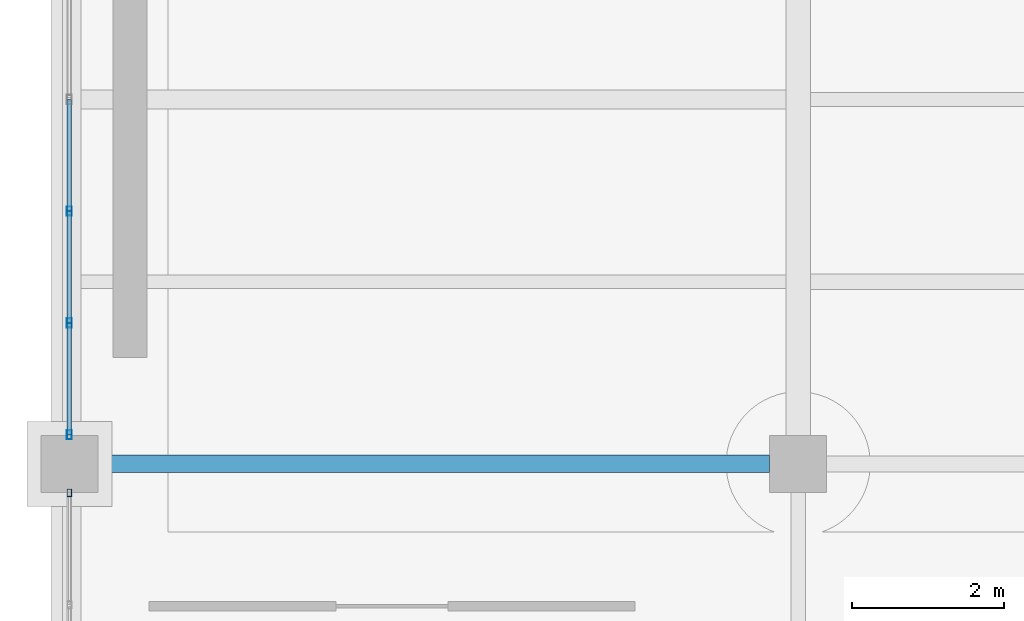
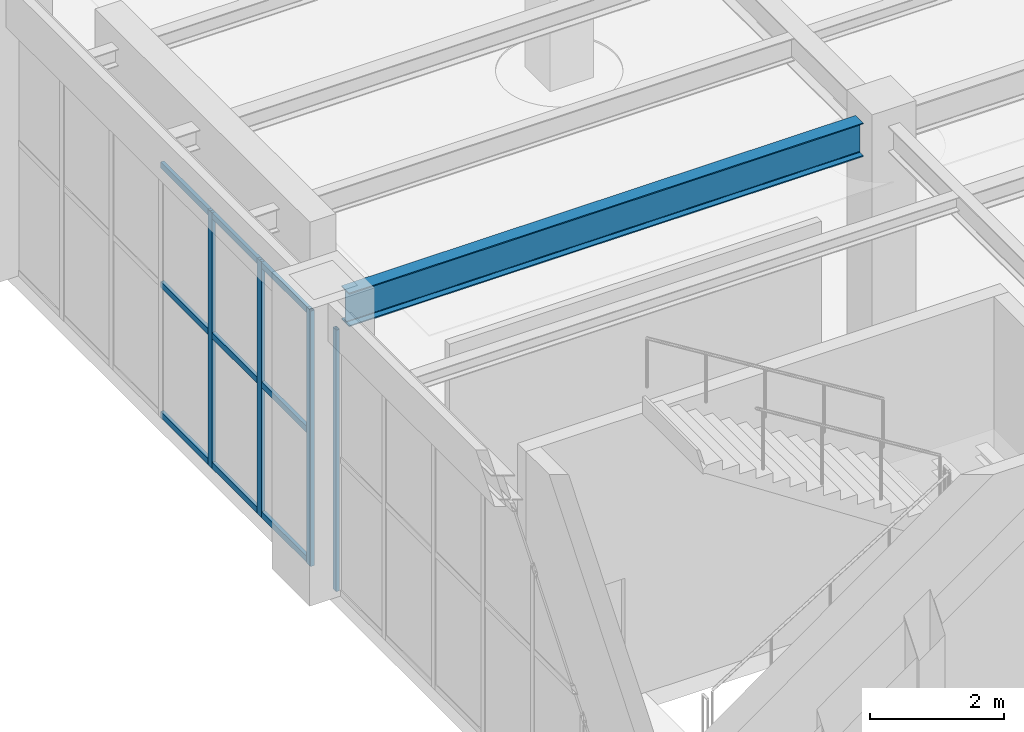
# One storey, part 26 of 164: 13 members, 1 beam, 2 elements without a shape of their own.
"""IFC4 building model written with IfcOpenShell, lengths in metres."""

from ifc_helpers import new_model, si_unit, direction, frame, origin, origin_2d, place, context, subcontext, project, spatial, hollow_rectangle, i_section, extrude, material, material_profile, profile_set, type_object, element, aggregate, save


model = new_model("IFC4")

# Units and contexts
model_context = context("Model", 3, precision=1e-05, world=origin(), true_north=direction((0.0, 1.0)))
body_context = subcontext(model_context, "Body", "Model", "MODEL_VIEW")
ifc_project = project(units=[si_unit("LENGTHUNIT", "METRE"), si_unit("AREAUNIT", "SQUARE_METRE"), si_unit("VOLUMEUNIT", "CUBIC_METRE"), si_unit("PLANEANGLEUNIT", "RADIAN"), si_unit("MASSUNIT", "GRAM", prefix="KILO")], contexts=[model_context])

# Site, building, storey
site_placement = place(None, origin())
site = spatial("IfcSite", under=ifc_project, at=site_placement, CompositionType="ELEMENT")
building_placement = place(site_placement, origin())
building = spatial("IfcBuilding", under=site, at=building_placement, Name="Mavantir Sound Aquarium", CompositionType="ELEMENT")
storey_placement = place(building_placement, origin())
storey = spatial("IfcBuildingStorey", under=building, at=storey_placement, Name="L00", CompositionType="ELEMENT", Elevation=0.0)

# Beam
ifc_material_1 = material(Name="Structural Steel ASTM A992 Gr50", Category="steel")
ifc_material_profile_1 = material_profile(ifc_material_1, i_section(OverallWidth=0.22900390625, OverallDepth=0.612060546875, WebThickness=0.011962890625, FlangeThickness=0.01953125, FilletRadius=0.01904296875, at=origin_2d()), Name="W610X125")
ifc_profile_set_1 = profile_set([ifc_material_profile_1], Name="Structural Steel ASTM A992 Gr50")
beam_type = type_object("IfcBeamType", Name="BM-W610X125-I", PredefinedType="BEAM", material=ifc_profile_set_1)
beam_placement = place(storey_placement, frame((0.375, 9.60009765625, 4.7900390625), z_axis=(1.0, 0.0, 0.0), x_axis=(0.0, 1.0, 0.0)))
element("IfcBeam", 1, at=beam_placement, inside=storey, type_object=beam_type, Name="L00 primary beam SB-61B 893", PredefinedType="BEAM", context=body_context, shape_type="SweptSolid", body=[
    extrude(i_section(OverallWidth=0.22900390625, OverallDepth=0.612060546875, WebThickness=0.011962890625, FlangeThickness=0.01953125, FilletRadius=0.01904296875, at=origin_2d()), origin(), (0.0, 0.0, 1.0), 8.85009765625),
])

# Curtain wall, member
ifc_material_2 = material(Name="Anodised Marine Aluminium and Low-E Glass", Category="aluminium")
curtain_wall_type_1 = type_object("IfcCurtainWallType", Name="CW-T13", PredefinedType="USERDEFINED", material=ifc_material_2)
curtain_wall_1_placement = place(storey_placement, origin())
curtain_wall_1 = element("IfcCurtainWall", 2, at=curtain_wall_1_placement, inside=storey, type_object=curtain_wall_type_1, Name="L00 unitised curtain wall CW-13 13", ObjectType="UNITISED GLAZING", PredefinedType="USERDEFINED")
ifc_material_3 = material(Name="Anodised Marine Aluminium 6063-T6", Category="aluminium")
ifc_material_profile_2 = material_profile(ifc_material_3, hollow_rectangle(XDim=0.06005859375, YDim=0.10009765625, WallThickness=0.00390625, at=origin_2d()), Name="ALU-MULLION-100X60")
ifc_profile_set_2 = profile_set([ifc_material_profile_2], Name="Anodised Marine Aluminium 6063-T6")
member_type_1 = type_object("IfcMemberType", Name="CW-MUL-100", PredefinedType="MULLION", material=ifc_profile_set_2)
member_1_placement = place(storey_placement, frame((0.0, 9.217041015625, 0.0), z_axis=(0.0, 0.0, 1.0), x_axis=(1.0, 0.0, 0.0)))
member_1 = element("IfcMember", 3, at=member_1_placement, type_object=member_type_1, Name="CW-L00-013 vertical mullion 1", PredefinedType="MULLION", context=body_context, shape_type="SweptSolid", body=[
    extrude(hollow_rectangle(XDim=0.06005859375, YDim=0.10009765625, WallThickness=0.00390625, at=origin_2d()), origin(), (0.0, 0.0, 1.0), 4.758056640625),
])
aggregate(curtain_wall_1, [member_1])

# Curtain wall, members
curtain_wall_type_2 = type_object("IfcCurtainWallType", Name="CW-T12", PredefinedType="USERDEFINED", material=ifc_material_2)
curtain_wall_2_placement = place(storey_placement, origin())
curtain_wall_2 = element("IfcCurtainWall", 4, at=curtain_wall_2_placement, inside=storey, type_object=curtain_wall_type_2, Name="L00 unitised curtain wall CW-12 12", ObjectType="UNITISED GLAZING", PredefinedType="USERDEFINED")
ifc_material_profile_3 = material_profile(ifc_material_3, hollow_rectangle(XDim=0.06494140625, YDim=0.1201171875, WallThickness=0.00390625, at=origin_2d()), Name="ALU-MULLION-120X65")
ifc_profile_set_3 = profile_set([ifc_material_profile_3], Name="Anodised Marine Aluminium 6063-T6")
member_type_2 = type_object("IfcMemberType", Name="CW-MUL-120", PredefinedType="MULLION", material=ifc_profile_set_3)
member_2_placement = place(storey_placement, frame((0.0, 12.927734375, 0.0), z_axis=(0.0, 0.0, 1.0), x_axis=(1.0, 0.0, 0.0)))
member_2 = element("IfcMember", 5, at=member_2_placement, type_object=member_type_2, Name="CW-L00-012 vertical mullion 5", PredefinedType="MULLION", context=body_context, shape_type="SweptSolid", body=[
    extrude(hollow_rectangle(XDim=0.06494140625, YDim=0.1201171875, WallThickness=0.00390625, at=origin_2d()), origin(), (0.0, 0.0, 1.0), 4.64892578125),
])
member_3_placement = place(storey_placement, frame((0.0, 11.455322265625, 0.0), z_axis=(0.0, 0.0, 1.0), x_axis=(1.0, 0.0, 0.0)))
member_3 = element("IfcMember", 6, at=member_3_placement, type_object=member_type_2, Name="CW-L00-012 vertical mullion 6", PredefinedType="MULLION", context=body_context, shape_type="SweptSolid", body=[
    extrude(hollow_rectangle(XDim=0.06494140625, YDim=0.1201171875, WallThickness=0.00390625, at=origin_2d()), origin(), (0.0, 0.0, 1.0), 4.64892578125),
])
member_4_placement = place(storey_placement, frame((0.0, 9.98291015625, 0.0), z_axis=(0.0, 0.0, 1.0), x_axis=(1.0, 0.0, 0.0)))
member_4 = element("IfcMember", 7, at=member_4_placement, type_object=member_type_2, Name="CW-L00-012 vertical mullion 7", PredefinedType="MULLION", context=body_context, shape_type="SweptSolid", body=[
    extrude(hollow_rectangle(XDim=0.06494140625, YDim=0.1201171875, WallThickness=0.00390625, at=origin_2d()), origin(), (0.0, 0.0, 1.0), 4.64892578125),
])
ifc_material_profile_4 = material_profile(ifc_material_3, hollow_rectangle(XDim=0.06005859375, YDim=0.110107421875, WallThickness=0.00390625, at=origin_2d()), Name="ALU-TRANSOM-110X60")
ifc_profile_set_4 = profile_set([ifc_material_profile_4], Name="Anodised Marine Aluminium 6063-T6")
member_type_3 = type_object("IfcMemberType", Name="CW-TRN-110", PredefinedType="USERDEFINED", material=ifc_profile_set_4)
member_5_placement = place(storey_placement, frame((0.0, 14.39990234375, 0.054931640625), z_axis=(0.0, -1.0, 0.0), x_axis=(1.0, 0.0, 0.0)))
member_5 = element("IfcMember", 8, at=member_5_placement, type_object=member_type_3, Name="CW-L00-012 transom 4.1", ObjectType="TRANSOM", PredefinedType="USERDEFINED", context=body_context, shape_type="SweptSolid", body=[
    extrude(hollow_rectangle(XDim=0.06005859375, YDim=0.110107421875, WallThickness=0.00390625, at=origin_2d()), origin(), (0.0, 0.0, 1.0), 1.47216796875),
])
member_6_placement = place(storey_placement, frame((0.0, 14.39990234375, 2.41748046875), z_axis=(0.0, -1.0, 0.0), x_axis=(1.0, 0.0, 0.0)))
member_6 = element("IfcMember", 9, at=member_6_placement, type_object=member_type_3, Name="CW-L00-012 transom 4.2", ObjectType="TRANSOM", PredefinedType="USERDEFINED", context=body_context, shape_type="SweptSolid", body=[
    extrude(hollow_rectangle(XDim=0.06005859375, YDim=0.110107421875, WallThickness=0.00390625, at=origin_2d()), origin(), (0.0, 0.0, 1.0), 1.47216796875),
])
member_7_placement = place(storey_placement, frame((0.0, 14.39990234375, 4.593994140625), z_axis=(0.0, -1.0, 0.0), x_axis=(1.0, 0.0, 0.0)))
member_7 = element("IfcMember", 10, at=member_7_placement, type_object=member_type_3, Name="CW-L00-012 transom 4.3", ObjectType="TRANSOM", PredefinedType="USERDEFINED", context=body_context, shape_type="SweptSolid", body=[
    extrude(hollow_rectangle(XDim=0.06005859375, YDim=0.110107421875, WallThickness=0.00390625, at=origin_2d()), origin(), (0.0, 0.0, 1.0), 1.47216796875),
])
member_8_placement = place(storey_placement, frame((0.0, 12.927734375, 0.054931640625), z_axis=(0.0, -1.0, 0.0), x_axis=(1.0, 0.0, 0.0)))
member_8 = element("IfcMember", 11, at=member_8_placement, type_object=member_type_3, Name="CW-L00-012 transom 5.1", ObjectType="TRANSOM", PredefinedType="USERDEFINED", context=body_context, shape_type="SweptSolid", body=[
    extrude(hollow_rectangle(XDim=0.06005859375, YDim=0.110107421875, WallThickness=0.00390625, at=origin_2d()), origin(), (0.0, 0.0, 1.0), 1.472412109375),
])
member_9_placement = place(storey_placement, frame((0.0, 12.927734375, 2.41748046875), z_axis=(0.0, -1.0, 0.0), x_axis=(1.0, 0.0, 0.0)))
member_9 = element("IfcMember", 12, at=member_9_placement, type_object=member_type_3, Name="CW-L00-012 transom 5.2", ObjectType="TRANSOM", PredefinedType="USERDEFINED", context=body_context, shape_type="SweptSolid", body=[
    extrude(hollow_rectangle(XDim=0.06005859375, YDim=0.110107421875, WallThickness=0.00390625, at=origin_2d()), origin(), (0.0, 0.0, 1.0), 1.472412109375),
])
member_10_placement = place(storey_placement, frame((0.0, 12.927734375, 4.593994140625), z_axis=(0.0, -1.0, 0.0), x_axis=(1.0, 0.0, 0.0)))
member_10 = element("IfcMember", 13, at=member_10_placement, type_object=member_type_3, Name="CW-L00-012 transom 5.3", ObjectType="TRANSOM", PredefinedType="USERDEFINED", context=body_context, shape_type="SweptSolid", body=[
    extrude(hollow_rectangle(XDim=0.06005859375, YDim=0.110107421875, WallThickness=0.00390625, at=origin_2d()), origin(), (0.0, 0.0, 1.0), 1.472412109375),
])
member_11_placement = place(storey_placement, frame((0.0, 11.455322265625, 0.054931640625), z_axis=(0.0, -1.0, 0.0), x_axis=(1.0, 0.0, 0.0)))
member_11 = element("IfcMember", 14, at=member_11_placement, type_object=member_type_3, Name="CW-L00-012 transom 6.1", ObjectType="TRANSOM", PredefinedType="USERDEFINED", context=body_context, shape_type="SweptSolid", body=[
    extrude(hollow_rectangle(XDim=0.06005859375, YDim=0.110107421875, WallThickness=0.00390625, at=origin_2d()), origin(), (0.0, 0.0, 1.0), 1.472412109375),
])
member_12_placement = place(storey_placement, frame((0.0, 11.455322265625, 2.41748046875), z_axis=(0.0, -1.0, 0.0), x_axis=(1.0, 0.0, 0.0)))
member_12 = element("IfcMember", 15, at=member_12_placement, type_object=member_type_3, Name="CW-L00-012 transom 6.2", ObjectType="TRANSOM", PredefinedType="USERDEFINED", context=body_context, shape_type="SweptSolid", body=[
    extrude(hollow_rectangle(XDim=0.06005859375, YDim=0.110107421875, WallThickness=0.00390625, at=origin_2d()), origin(), (0.0, 0.0, 1.0), 1.472412109375),
])
member_13_placement = place(storey_placement, frame((0.0, 11.455322265625, 4.593994140625), z_axis=(0.0, -1.0, 0.0), x_axis=(1.0, 0.0, 0.0)))
member_13 = element("IfcMember", 16, at=member_13_placement, type_object=member_type_3, Name="CW-L00-012 transom 6.3", ObjectType="TRANSOM", PredefinedType="USERDEFINED", context=body_context, shape_type="SweptSolid", body=[
    extrude(hollow_rectangle(XDim=0.06005859375, YDim=0.110107421875, WallThickness=0.00390625, at=origin_2d()), origin(), (0.0, 0.0, 1.0), 1.472412109375),
])
aggregate(curtain_wall_2, [member_2, member_3, member_4, member_5, member_6, member_7, member_8, member_9, member_10, member_11, member_12, member_13])

save(model, "model.ifc")
